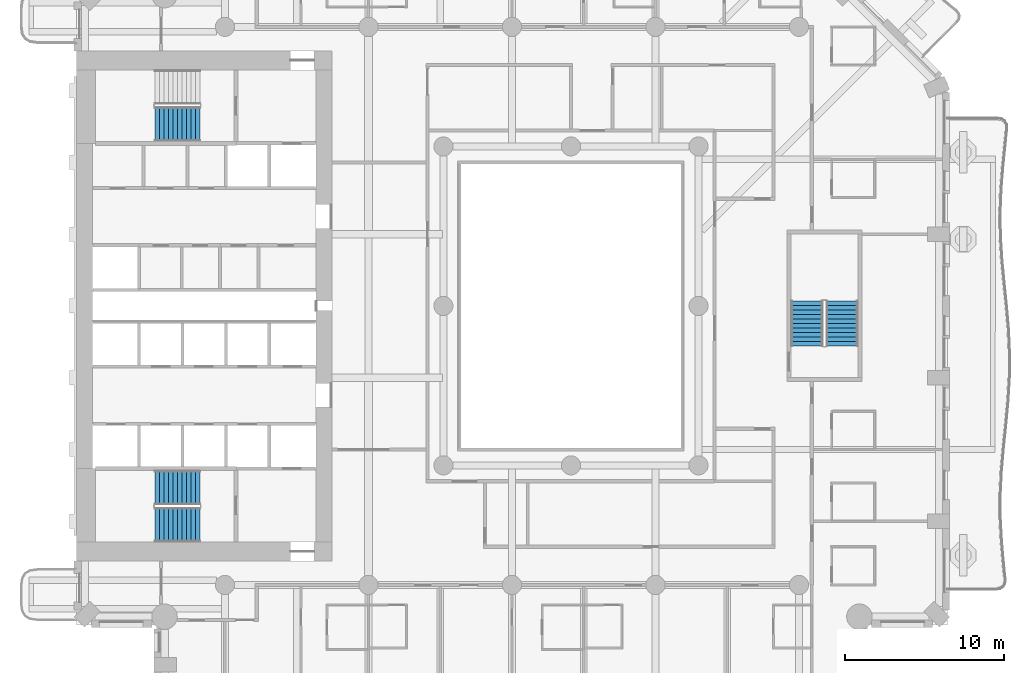
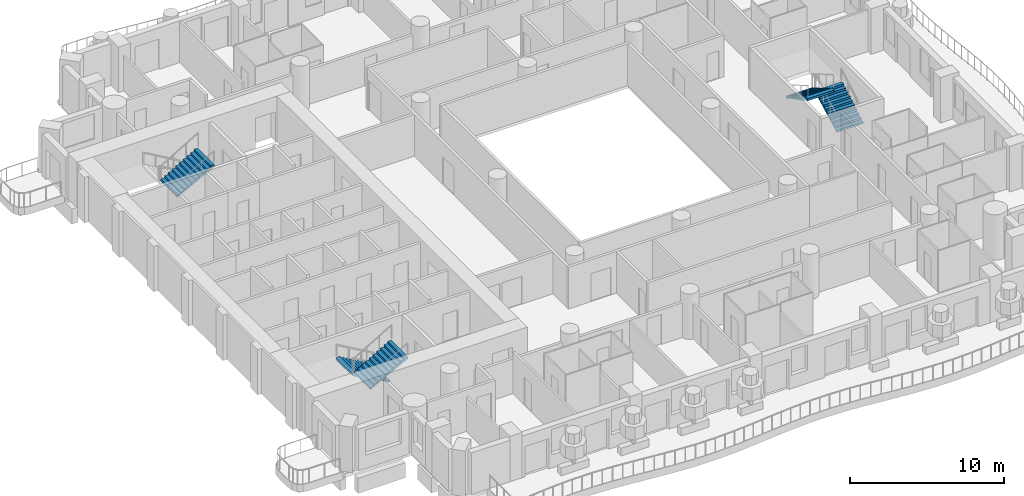
# One storey, part 11 of 20: 5 stair flights, 3 elements without a shape of their own.
"""IFC4 building model written with IfcOpenShell, lengths in metres."""

from ifc_helpers import new_model, si_unit, direction, frame, origin, place, context, subcontext, project, spatial, triangles, material, type_object, element, aggregate, save


model = new_model("IFC4")

# Units and contexts
model_context = context("Model", 3, precision=1e-05, world=origin(), true_north=direction((0.0, 1.0)))
body_context = subcontext(model_context, "Body", "Model", "MODEL_VIEW")
ifc_project = project(units=[si_unit("LENGTHUNIT", "METRE"), si_unit("AREAUNIT", "SQUARE_METRE"), si_unit("VOLUMEUNIT", "CUBIC_METRE"), si_unit("PLANEANGLEUNIT", "RADIAN"), si_unit("MASSUNIT", "GRAM", prefix="KILO")], contexts=[model_context])

# Site, building, storey
site_placement = place(None, origin())
site = spatial("IfcSite", under=ifc_project, at=site_placement, CompositionType="ELEMENT")
building_placement = place(site_placement, origin())
building = spatial("IfcBuilding", under=site, at=building_placement, Name="Cypress Arch Tower", CompositionType="ELEMENT")
storey_placement = place(building_placement, frame((0.0, 0.0, 80.699951171875)))
storey = spatial("IfcBuildingStorey", under=building, at=storey_placement, Name="L14", CompositionType="ELEMENT", Elevation=80.699951171875)

# Stair, stair flights
ifc_material_1 = material(Name="Concrete C40/50", Category="concrete")
stair_type_1 = type_object("IfcStairType", Name="Exit stair ES1636-200", PredefinedType="HALF_TURN_STAIR", material=ifc_material_1)
stair_1_placement = place(storey_placement, origin())
stair_1 = element("IfcStair", 1, at=stair_1_placement, inside=storey, type_object=stair_type_1, Name="L14 Exit stair C", PredefinedType="HALF_TURN_STAIR")
ifc_material_2 = material(Name="Concrete C40/50", Category="concrete")
stair_flight_type_1 = type_object("IfcStairFlightType", Name="Exit stair flight ES1636-200", PredefinedType="STRAIGHT", material=ifc_material_2)
stair_flight_1_placement = place(storey_placement, frame((18.0, -2.5, 0.0), z_axis=(0.0, 0.0, 1.0), x_axis=(0.0, 1.0, 0.0)))
stair_flight_1 = element("IfcStairFlight", 2, at=stair_flight_1_placement, type_object=stair_flight_type_1, Name="C flight 1", NumberOfRisers=11, NumberOfTreads=10, PredefinedType="STRAIGHT", RiserHeight=0.163636364, TreadLength=0.28, context=body_context, shape_type="Tessellation", body=[
    triangles([(0.0, -1.0, 0.0), (0.00048828125, -1.0, 0.054443359375), (0.00048828125, -1.0, 0.109130859375), (0.0, -1.0, 0.16357421875), (0.280029296875, -1.0, 0.16357421875), (0.280029296875, -1.0, 0.327392578125), (0.56005859375, -1.0, 0.327392578125), (0.56005859375, -1.0, 0.490966796875), (0.840087890625, -1.0, 0.490966796875), (0.840087890625, -1.0, 0.654541015625), (1.1201171875, -1.0, 0.654541015625), (1.1201171875, -1.0, 0.818115234375), (1.39990234375, -1.0, 0.818115234375), (1.39990234375, -1.0, 0.98193359375), (1.679931640625, -1.0, 0.98193359375), (1.679931640625, -1.0, 1.1455078125), (1.9599609375, -1.0, 1.1455078125), (1.9599609375, -1.0, 1.30908203125), (2.239990234375, -1.0, 1.30908203125), (2.239990234375, -1.0, 1.47265625), (2.52001953125, -1.0, 1.47265625), (2.52001953125, -1.0, 1.636474609375), (2.800048828125, -1.0, 1.636474609375), (2.799560546875, -1.0, 1.57861328125), (2.799560546875, -1.0, 1.5205078125), (2.800048828125, -1.0, 1.462646484375), (2.800048828125, 1.0, 1.462646484375), (2.799560546875, 1.0, 1.5205078125), (2.799560546875, 1.0, 1.57861328125), (2.800048828125, 1.0, 1.636474609375), (2.52001953125, 1.0, 1.636474609375), (2.52001953125, 1.0, 1.47265625), (2.239990234375, 1.0, 1.47265625), (2.239990234375, 1.0, 1.30908203125), (1.9599609375, 1.0, 1.30908203125), (1.9599609375, 1.0, 1.1455078125), (1.679931640625, 1.0, 1.1455078125), (1.679931640625, 1.0, 0.98193359375), (1.39990234375, 1.0, 0.98193359375), (1.39990234375, 1.0, 0.818115234375), (1.1201171875, 1.0, 0.818115234375), (1.1201171875, 1.0, 0.654541015625), (0.840087890625, 1.0, 0.654541015625), (0.840087890625, 1.0, 0.490966796875), (0.56005859375, 1.0, 0.490966796875), (0.56005859375, 1.0, 0.327392578125), (0.280029296875, 1.0, 0.327392578125), (0.280029296875, 1.0, 0.16357421875), (0.0, 1.0, 0.16357421875), (0.00048828125, 1.0, 0.109130859375), (0.00048828125, 1.0, 0.054443359375), (0.0, 1.0, 0.0), (2.799560546875, 0.0, 1.5205078125), (2.800048828125, 0.0, 1.462646484375), (2.799560546875, 0.0, 1.57861328125), (2.800048828125, 0.0, 1.636474609375), (2.52001953125, 0.0, 1.636474609375), (2.52001953125, 0.0, 1.47265625), (2.239990234375, 0.0, 1.47265625), (2.239990234375, 0.0, 1.30908203125), (1.9599609375, 0.0, 1.30908203125), (1.9599609375, 0.0, 1.1455078125), (1.679931640625, 0.0, 1.1455078125), (1.679931640625, 0.0, 0.98193359375), (1.39990234375, 0.0, 0.98193359375), (1.39990234375, 0.0, 0.818115234375), (1.1201171875, 0.0, 0.818115234375), (1.1201171875, 0.0, 0.654541015625), (0.840087890625, 0.0, 0.654541015625), (0.840087890625, 0.0, 0.490966796875), (0.56005859375, 0.0, 0.490966796875), (0.56005859375, 0.0, 0.327392578125), (0.280029296875, 0.0, 0.327392578125), (0.280029296875, 0.0, 0.16357421875), (0.0, 0.0, 0.16357421875), (0.00048828125, 0.0, 0.109130859375), (0.00048828125, 0.0, 0.054443359375), (0.0, 0.0, 0.0)], [[26, 25, 22], [25, 24, 22], [24, 23, 22], [15, 14, 13], [7, 6, 5], [13, 12, 11], [21, 20, 19], [19, 18, 17], [17, 16, 15], [11, 10, 9], [9, 8, 7], [4, 3, 5], [3, 2, 5], [2, 1, 5], [26, 22, 21], [26, 21, 19], [26, 19, 17], [26, 17, 15], [26, 15, 13], [26, 13, 11], [26, 11, 9], [26, 9, 7], [26, 7, 5], [26, 5, 1], [27, 31, 28], [28, 31, 29], [29, 31, 30], [38, 40, 39], [46, 48, 47], [40, 42, 41], [32, 34, 33], [34, 36, 35], [36, 38, 37], [42, 44, 43], [44, 46, 45], [49, 48, 50], [50, 48, 51], [51, 48, 52], [27, 32, 31], [27, 34, 32], [27, 36, 34], [27, 38, 36], [27, 40, 38], [27, 42, 40], [27, 44, 42], [27, 46, 44], [27, 48, 46], [27, 52, 48], [54, 53, 25], [54, 25, 26], [27, 28, 53], [27, 53, 54], [53, 55, 24], [53, 24, 25], [28, 29, 55], [28, 55, 53], [55, 56, 23], [55, 23, 24], [29, 30, 56], [29, 56, 55], [56, 57, 22], [56, 22, 23], [30, 31, 57], [30, 57, 56], [57, 58, 21], [57, 21, 22], [31, 32, 58], [31, 58, 57], [58, 59, 20], [58, 20, 21], [32, 33, 59], [32, 59, 58], [59, 60, 19], [59, 19, 20], [33, 34, 60], [33, 60, 59], [60, 61, 18], [60, 18, 19], [34, 35, 61], [34, 61, 60], [61, 62, 17], [61, 17, 18], [35, 36, 62], [35, 62, 61], [62, 63, 16], [62, 16, 17], [36, 37, 63], [36, 63, 62], [63, 64, 15], [63, 15, 16], [37, 38, 64], [37, 64, 63], [64, 65, 14], [64, 14, 15], [38, 39, 65], [38, 65, 64], [65, 66, 13], [65, 13, 14], [39, 40, 66], [39, 66, 65], [66, 67, 12], [66, 12, 13], [40, 41, 67], [40, 67, 66], [67, 68, 11], [67, 11, 12], [41, 42, 68], [41, 68, 67], [68, 69, 10], [68, 10, 11], [42, 43, 69], [42, 69, 68], [69, 70, 9], [69, 9, 10], [43, 44, 70], [43, 70, 69], [70, 71, 8], [70, 8, 9], [44, 45, 71], [44, 71, 70], [71, 72, 7], [71, 7, 8], [45, 46, 72], [45, 72, 71], [72, 73, 6], [72, 6, 7], [46, 47, 73], [46, 73, 72], [73, 74, 5], [73, 5, 6], [47, 48, 74], [47, 74, 73], [74, 75, 4], [74, 4, 5], [48, 49, 75], [48, 75, 74], [75, 76, 3], [75, 3, 4], [49, 50, 76], [49, 76, 75], [76, 77, 2], [76, 2, 3], [50, 51, 77], [50, 77, 76], [77, 78, 1], [77, 1, 2], [51, 52, 78], [51, 78, 77], [78, 54, 26], [78, 26, 1], [52, 27, 54], [52, 54, 78]], closed=True),
])
stair_flight_2_placement = place(storey_placement, frame((15.800048828125, 0.300048828125, 1.800048828125), z_axis=(0.0, 0.0, 1.0), x_axis=(0.0, -1.0, 0.0)))
stair_flight_2 = element("IfcStairFlight", 3, at=stair_flight_2_placement, type_object=stair_flight_type_1, Name="C flight 2", NumberOfRisers=11, NumberOfTreads=10, PredefinedType="STRAIGHT", RiserHeight=0.163636364, TreadLength=0.28, context=body_context, shape_type="Tessellation", body=[
    triangles([(0.0, -1.0, 0.0), (0.00048828125, -1.0, 0.054443359375), (0.00048828125, -1.0, 0.109130859375), (0.0, -1.0, 0.16357421875), (0.280029296875, -1.0, 0.16357421875), (0.280029296875, -1.0, 0.327392578125), (0.56005859375, -1.0, 0.327392578125), (0.56005859375, -1.0, 0.490966796875), (0.840087890625, -1.0, 0.490966796875), (0.840087890625, -1.0, 0.654541015625), (1.1201171875, -1.0, 0.654541015625), (1.1201171875, -1.0, 0.818115234375), (1.39990234375, -1.0, 0.818115234375), (1.39990234375, -1.0, 0.98193359375), (1.679931640625, -1.0, 0.98193359375), (1.679931640625, -1.0, 1.1455078125), (1.9599609375, -1.0, 1.1455078125), (1.9599609375, -1.0, 1.30908203125), (2.239990234375, -1.0, 1.30908203125), (2.239990234375, -1.0, 1.47265625), (2.52001953125, -1.0, 1.47265625), (2.52001953125, -1.0, 1.636474609375), (2.800048828125, -1.0, 1.636474609375), (2.799560546875, -1.0, 1.57861328125), (2.799560546875, -1.0, 1.5205078125), (2.800048828125, -1.0, 1.462646484375), (2.800048828125, 1.0, 1.462646484375), (2.799560546875, 1.0, 1.5205078125), (2.799560546875, 1.0, 1.57861328125), (2.800048828125, 1.0, 1.636474609375), (2.52001953125, 1.0, 1.636474609375), (2.52001953125, 1.0, 1.47265625), (2.239990234375, 1.0, 1.47265625), (2.239990234375, 1.0, 1.30908203125), (1.9599609375, 1.0, 1.30908203125), (1.9599609375, 1.0, 1.1455078125), (1.679931640625, 1.0, 1.1455078125), (1.679931640625, 1.0, 0.98193359375), (1.39990234375, 1.0, 0.98193359375), (1.39990234375, 1.0, 0.818115234375), (1.1201171875, 1.0, 0.818115234375), (1.1201171875, 1.0, 0.654541015625), (0.840087890625, 1.0, 0.654541015625), (0.840087890625, 1.0, 0.490966796875), (0.56005859375, 1.0, 0.490966796875), (0.56005859375, 1.0, 0.327392578125), (0.280029296875, 1.0, 0.327392578125), (0.280029296875, 1.0, 0.16357421875), (0.0, 1.0, 0.16357421875), (0.00048828125, 1.0, 0.109130859375), (0.00048828125, 1.0, 0.054443359375), (0.0, 1.0, 0.0), (2.799560546875, 0.0, 1.5205078125), (2.800048828125, 0.0, 1.462646484375), (2.799560546875, 0.0, 1.57861328125), (2.800048828125, 0.0, 1.636474609375), (2.52001953125, 0.0, 1.636474609375), (2.52001953125, 0.0, 1.47265625), (2.239990234375, 0.0, 1.47265625), (2.239990234375, 0.0, 1.30908203125), (1.9599609375, 0.0, 1.30908203125), (1.9599609375, 0.0, 1.1455078125), (1.679931640625, 0.0, 1.1455078125), (1.679931640625, 0.0, 0.98193359375), (1.39990234375, 0.0, 0.98193359375), (1.39990234375, 0.0, 0.818115234375), (1.1201171875, 0.0, 0.818115234375), (1.1201171875, 0.0, 0.654541015625), (0.840087890625, 0.0, 0.654541015625), (0.840087890625, 0.0, 0.490966796875), (0.56005859375, 0.0, 0.490966796875), (0.56005859375, 0.0, 0.327392578125), (0.280029296875, 0.0, 0.327392578125), (0.280029296875, 0.0, 0.16357421875), (0.0, 0.0, 0.16357421875), (0.00048828125, 0.0, 0.109130859375), (0.00048828125, 0.0, 0.054443359375), (0.0, 0.0, 0.0)], [[26, 25, 22], [25, 24, 22], [24, 23, 22], [15, 14, 13], [7, 6, 5], [13, 12, 11], [21, 20, 19], [19, 18, 17], [17, 16, 15], [11, 10, 9], [9, 8, 7], [4, 3, 5], [3, 2, 5], [2, 1, 5], [26, 22, 21], [26, 21, 19], [26, 19, 17], [26, 17, 15], [26, 15, 13], [26, 13, 11], [26, 11, 9], [26, 9, 7], [26, 7, 5], [26, 5, 1], [27, 31, 28], [28, 31, 29], [29, 31, 30], [38, 40, 39], [46, 48, 47], [40, 42, 41], [32, 34, 33], [34, 36, 35], [36, 38, 37], [42, 44, 43], [44, 46, 45], [49, 48, 50], [50, 48, 51], [51, 48, 52], [27, 32, 31], [27, 34, 32], [27, 36, 34], [27, 38, 36], [27, 40, 38], [27, 42, 40], [27, 44, 42], [27, 46, 44], [27, 48, 46], [27, 52, 48], [54, 53, 25], [54, 25, 26], [27, 28, 53], [27, 53, 54], [53, 55, 24], [53, 24, 25], [28, 29, 55], [28, 55, 53], [55, 56, 23], [55, 23, 24], [29, 30, 56], [29, 56, 55], [56, 57, 22], [56, 22, 23], [30, 31, 57], [30, 57, 56], [57, 58, 21], [57, 21, 22], [31, 32, 58], [31, 58, 57], [58, 59, 20], [58, 20, 21], [32, 33, 59], [32, 59, 58], [59, 60, 19], [59, 19, 20], [33, 34, 60], [33, 60, 59], [60, 61, 18], [60, 18, 19], [34, 35, 61], [34, 61, 60], [61, 62, 17], [61, 17, 18], [35, 36, 62], [35, 62, 61], [62, 63, 16], [62, 16, 17], [36, 37, 63], [36, 63, 62], [63, 64, 15], [63, 15, 16], [37, 38, 64], [37, 64, 63], [64, 65, 14], [64, 14, 15], [38, 39, 65], [38, 65, 64], [65, 66, 13], [65, 13, 14], [39, 40, 66], [39, 66, 65], [66, 67, 12], [66, 12, 13], [40, 41, 67], [40, 67, 66], [67, 68, 11], [67, 11, 12], [41, 42, 68], [41, 68, 67], [68, 69, 10], [68, 10, 11], [42, 43, 69], [42, 69, 68], [69, 70, 9], [69, 9, 10], [43, 44, 70], [43, 70, 69], [70, 71, 8], [70, 8, 9], [44, 45, 71], [44, 71, 70], [71, 72, 7], [71, 7, 8], [45, 46, 72], [45, 72, 71], [72, 73, 6], [72, 6, 7], [46, 47, 73], [46, 73, 72], [73, 74, 5], [73, 5, 6], [47, 48, 74], [47, 74, 73], [74, 75, 4], [74, 4, 5], [48, 49, 75], [48, 75, 74], [75, 76, 3], [75, 3, 4], [49, 50, 76], [49, 76, 75], [76, 77, 2], [76, 2, 3], [50, 51, 77], [50, 77, 76], [77, 78, 1], [77, 1, 2], [51, 52, 78], [51, 78, 77], [78, 54, 26], [78, 26, 1], [52, 27, 54], [52, 54, 78]], closed=True),
])
aggregate(stair_1, [stair_flight_1, stair_flight_2])

ifc_material_3 = material(Name="Concrete C40/50", Category="concrete")
stair_type_2 = type_object("IfcStairType", Name="Exit stair ES1636-215", PredefinedType="HALF_TURN_STAIR", material=ifc_material_3)
stair_2_placement = place(storey_placement, origin())
stair_2 = element("IfcStair", 4, at=stair_2_placement, inside=storey, type_object=stair_type_2, Name="L14 Exit stair A", PredefinedType="HALF_TURN_STAIR")
ifc_material_4 = material(Name="Concrete C40/50", Category="concrete")
stair_flight_type_2 = type_object("IfcStairFlightType", Name="Exit stair flight ES1636-215", PredefinedType="STRAIGHT", material=ifc_material_4)
stair_flight_3_placement = place(storey_placement, frame((-22.27490234375, -11.39990234375, 0.0), z_axis=(0.0, 0.0, 1.0), x_axis=(-1.0, 0.0, 0.0)))
stair_flight_3 = element("IfcStairFlight", 5, at=stair_flight_3_placement, type_object=stair_flight_type_2, Name="A flight 1", NumberOfRisers=11, NumberOfTreads=10, PredefinedType="STRAIGHT", RiserHeight=0.163636364, TreadLength=0.28, context=body_context, shape_type="Tessellation", body=[
    triangles([(0.0, -1.074951171875, 0.0), (0.000244140625, -1.074951171875, 0.03271484375), (0.00048828125, -1.074951171875, 0.0654296875), (0.00048828125, -1.074951171875, 0.09814453125), (0.000244140625, -1.074951171875, 0.130859375), (0.0, -1.074951171875, 0.16357421875), (0.280029296875, -1.074951171875, 0.16357421875), (0.280029296875, -1.074951171875, 0.327392578125), (0.56005859375, -1.074951171875, 0.327392578125), (0.56005859375, -1.074951171875, 0.490966796875), (0.840087890625, -1.074951171875, 0.490966796875), (0.840087890625, -1.074951171875, 0.654541015625), (1.1201171875, -1.074951171875, 0.654541015625), (1.1201171875, -1.074951171875, 0.818115234375), (1.39990234375, -1.074951171875, 0.818115234375), (1.39990234375, -1.074951171875, 0.98193359375), (1.679931640625, -1.074951171875, 0.98193359375), (1.679931640625, -1.074951171875, 1.1455078125), (1.9599609375, -1.074951171875, 1.1455078125), (1.9599609375, -1.074951171875, 1.30908203125), (2.239990234375, -1.074951171875, 1.30908203125), (2.239990234375, -1.074951171875, 1.47265625), (2.52001953125, -1.074951171875, 1.47265625), (2.52001953125, -1.074951171875, 1.636474609375), (2.800048828125, -1.074951171875, 1.636474609375), (2.7998046875, -1.074951171875, 1.601806640625), (2.799560546875, -1.074951171875, 1.56689453125), (2.799560546875, -1.074951171875, 1.5322265625), (2.7998046875, -1.074951171875, 1.497314453125), (2.800048828125, -1.074951171875, 1.462646484375), (2.800048828125, 1.074951171875, 1.462646484375), (2.7998046875, 1.074951171875, 1.497314453125), (2.799560546875, 1.074951171875, 1.5322265625), (2.799560546875, 1.074951171875, 1.56689453125), (2.7998046875, 1.074951171875, 1.601806640625), (2.800048828125, 1.074951171875, 1.636474609375), (2.52001953125, 1.074951171875, 1.636474609375), (2.52001953125, 1.074951171875, 1.47265625), (2.239990234375, 1.074951171875, 1.47265625), (2.239990234375, 1.074951171875, 1.30908203125), (1.9599609375, 1.074951171875, 1.30908203125), (1.9599609375, 1.074951171875, 1.1455078125), (1.679931640625, 1.074951171875, 1.1455078125), (1.679931640625, 1.074951171875, 0.98193359375), (1.39990234375, 1.074951171875, 0.98193359375), (1.39990234375, 1.074951171875, 0.818115234375), (1.1201171875, 1.074951171875, 0.818115234375), (1.1201171875, 1.074951171875, 0.654541015625), (0.840087890625, 1.074951171875, 0.654541015625), (0.840087890625, 1.074951171875, 0.490966796875), (0.56005859375, 1.074951171875, 0.490966796875), (0.56005859375, 1.074951171875, 0.327392578125), (0.280029296875, 1.074951171875, 0.327392578125), (0.280029296875, 1.074951171875, 0.16357421875), (0.0, 1.074951171875, 0.16357421875), (0.000244140625, 1.074951171875, 0.130859375), (0.00048828125, 1.074951171875, 0.09814453125), (0.00048828125, 1.074951171875, 0.0654296875), (0.000244140625, 1.074951171875, 0.03271484375), (0.0, 1.074951171875, 0.0), (2.7998046875, 0.0, 1.497314453125), (2.800048828125, 0.0, 1.462646484375), (2.799560546875, 0.0, 1.5322265625), (2.799560546875, 0.0, 1.56689453125), (2.7998046875, 0.0, 1.601806640625), (2.800048828125, 0.0, 1.636474609375), (2.52001953125, 0.0, 1.636474609375), (2.52001953125, 0.0, 1.47265625), (2.239990234375, 0.0, 1.47265625), (2.239990234375, 0.0, 1.30908203125), (1.9599609375, 0.0, 1.30908203125), (1.9599609375, 0.0, 1.1455078125), (1.679931640625, 0.0, 1.1455078125), (1.679931640625, 0.0, 0.98193359375), (1.39990234375, 0.0, 0.98193359375), (1.39990234375, 0.0, 0.818115234375), (1.1201171875, 0.0, 0.818115234375), (1.1201171875, 0.0, 0.654541015625), (0.840087890625, 0.0, 0.654541015625), (0.840087890625, 0.0, 0.490966796875), (0.56005859375, 0.0, 0.490966796875), (0.56005859375, 0.0, 0.327392578125), (0.280029296875, 0.0, 0.327392578125), (0.280029296875, 0.0, 0.16357421875), (0.0, 0.0, 0.16357421875), (0.000244140625, 0.0, 0.130859375), (0.00048828125, 0.0, 0.09814453125), (0.00048828125, 0.0, 0.0654296875), (0.000244140625, 0.0, 0.03271484375), (0.0, 0.0, 0.0)], [[30, 29, 24], [29, 28, 24], [28, 27, 24], [27, 26, 24], [26, 25, 24], [17, 16, 15], [9, 8, 7], [15, 14, 13], [23, 22, 21], [21, 20, 19], [19, 18, 17], [13, 12, 11], [11, 10, 9], [6, 5, 7], [5, 4, 7], [4, 3, 7], [3, 2, 7], [2, 1, 7], [30, 24, 23], [30, 23, 21], [30, 21, 19], [30, 19, 17], [30, 17, 15], [30, 15, 13], [30, 13, 11], [30, 11, 9], [30, 9, 7], [30, 7, 1], [31, 37, 32], [32, 37, 33], [33, 37, 34], [34, 37, 35], [35, 37, 36], [44, 46, 45], [52, 54, 53], [46, 48, 47], [38, 40, 39], [40, 42, 41], [42, 44, 43], [48, 50, 49], [50, 52, 51], [55, 54, 56], [56, 54, 57], [57, 54, 58], [58, 54, 59], [59, 54, 60], [31, 38, 37], [31, 40, 38], [31, 42, 40], [31, 44, 42], [31, 46, 44], [31, 48, 46], [31, 50, 48], [31, 52, 50], [31, 54, 52], [31, 60, 54], [62, 61, 29], [62, 29, 30], [31, 32, 61], [31, 61, 62], [61, 63, 28], [61, 28, 29], [32, 33, 63], [32, 63, 61], [63, 64, 27], [63, 27, 28], [33, 34, 64], [33, 64, 63], [64, 65, 26], [64, 26, 27], [34, 35, 65], [34, 65, 64], [65, 66, 25], [65, 25, 26], [35, 36, 66], [35, 66, 65], [66, 67, 24], [66, 24, 25], [36, 37, 67], [36, 67, 66], [67, 68, 23], [67, 23, 24], [37, 38, 68], [37, 68, 67], [68, 69, 22], [68, 22, 23], [38, 39, 69], [38, 69, 68], [69, 70, 21], [69, 21, 22], [39, 40, 70], [39, 70, 69], [70, 71, 20], [70, 20, 21], [40, 41, 71], [40, 71, 70], [71, 72, 19], [71, 19, 20], [41, 42, 72], [41, 72, 71], [72, 73, 18], [72, 18, 19], [42, 43, 73], [42, 73, 72], [73, 74, 17], [73, 17, 18], [43, 44, 74], [43, 74, 73], [74, 75, 16], [74, 16, 17], [44, 45, 75], [44, 75, 74], [75, 76, 15], [75, 15, 16], [45, 46, 76], [45, 76, 75], [76, 77, 14], [76, 14, 15], [46, 47, 77], [46, 77, 76], [77, 78, 13], [77, 13, 14], [47, 48, 78], [47, 78, 77], [78, 79, 12], [78, 12, 13], [48, 49, 79], [48, 79, 78], [79, 80, 11], [79, 11, 12], [49, 50, 80], [49, 80, 79], [80, 81, 10], [80, 10, 11], [50, 51, 81], [50, 81, 80], [81, 82, 9], [81, 9, 10], [51, 52, 82], [51, 82, 81], [82, 83, 8], [82, 8, 9], [52, 53, 83], [52, 83, 82], [83, 84, 7], [83, 7, 8], [53, 54, 84], [53, 84, 83], [84, 85, 6], [84, 6, 7], [54, 55, 85], [54, 85, 84], [85, 86, 5], [85, 5, 6], [55, 56, 86], [55, 86, 85], [86, 87, 4], [86, 4, 5], [56, 57, 87], [56, 87, 86], [87, 88, 3], [87, 3, 4], [57, 58, 88], [57, 88, 87], [88, 89, 2], [88, 2, 3], [58, 59, 89], [58, 89, 88], [89, 90, 1], [89, 1, 2], [59, 60, 90], [59, 90, 89], [90, 62, 30], [90, 30, 1], [60, 31, 62], [60, 62, 90]], closed=True),
])
stair_flight_4_placement = place(storey_placement, frame((-25.074951171875, -13.72509765625, 1.800048828125), z_axis=(0.0, 0.0, 1.0), x_axis=(1.0, 0.0, 0.0)))
stair_flight_4 = element("IfcStairFlight", 6, at=stair_flight_4_placement, type_object=stair_flight_type_2, Name="A flight 2", NumberOfRisers=11, NumberOfTreads=10, PredefinedType="STRAIGHT", RiserHeight=0.163636364, TreadLength=0.28, context=body_context, shape_type="Tessellation", body=[
    triangles([(0.0, -1.074951171875, 0.0), (0.000244140625, -1.074951171875, 0.03271484375), (0.00048828125, -1.074951171875, 0.0654296875), (0.00048828125, -1.074951171875, 0.09814453125), (0.000244140625, -1.074951171875, 0.130859375), (0.0, -1.074951171875, 0.16357421875), (0.280029296875, -1.074951171875, 0.16357421875), (0.280029296875, -1.074951171875, 0.327392578125), (0.56005859375, -1.074951171875, 0.327392578125), (0.56005859375, -1.074951171875, 0.490966796875), (0.840087890625, -1.074951171875, 0.490966796875), (0.840087890625, -1.074951171875, 0.654541015625), (1.1201171875, -1.074951171875, 0.654541015625), (1.1201171875, -1.074951171875, 0.818115234375), (1.39990234375, -1.074951171875, 0.818115234375), (1.39990234375, -1.074951171875, 0.98193359375), (1.679931640625, -1.074951171875, 0.98193359375), (1.679931640625, -1.074951171875, 1.1455078125), (1.9599609375, -1.074951171875, 1.1455078125), (1.9599609375, -1.074951171875, 1.30908203125), (2.239990234375, -1.074951171875, 1.30908203125), (2.239990234375, -1.074951171875, 1.47265625), (2.52001953125, -1.074951171875, 1.47265625), (2.52001953125, -1.074951171875, 1.636474609375), (2.800048828125, -1.074951171875, 1.636474609375), (2.7998046875, -1.074951171875, 1.601806640625), (2.799560546875, -1.074951171875, 1.56689453125), (2.799560546875, -1.074951171875, 1.5322265625), (2.7998046875, -1.074951171875, 1.497314453125), (2.800048828125, -1.074951171875, 1.462646484375), (2.800048828125, 1.074951171875, 1.462646484375), (2.7998046875, 1.074951171875, 1.497314453125), (2.799560546875, 1.074951171875, 1.5322265625), (2.799560546875, 1.074951171875, 1.56689453125), (2.7998046875, 1.074951171875, 1.601806640625), (2.800048828125, 1.074951171875, 1.636474609375), (2.52001953125, 1.074951171875, 1.636474609375), (2.52001953125, 1.074951171875, 1.47265625), (2.239990234375, 1.074951171875, 1.47265625), (2.239990234375, 1.074951171875, 1.30908203125), (1.9599609375, 1.074951171875, 1.30908203125), (1.9599609375, 1.074951171875, 1.1455078125), (1.679931640625, 1.074951171875, 1.1455078125), (1.679931640625, 1.074951171875, 0.98193359375), (1.39990234375, 1.074951171875, 0.98193359375), (1.39990234375, 1.074951171875, 0.818115234375), (1.1201171875, 1.074951171875, 0.818115234375), (1.1201171875, 1.074951171875, 0.654541015625), (0.840087890625, 1.074951171875, 0.654541015625), (0.840087890625, 1.074951171875, 0.490966796875), (0.56005859375, 1.074951171875, 0.490966796875), (0.56005859375, 1.074951171875, 0.327392578125), (0.280029296875, 1.074951171875, 0.327392578125), (0.280029296875, 1.074951171875, 0.16357421875), (0.0, 1.074951171875, 0.16357421875), (0.000244140625, 1.074951171875, 0.130859375), (0.00048828125, 1.074951171875, 0.09814453125), (0.00048828125, 1.074951171875, 0.0654296875), (0.000244140625, 1.074951171875, 0.03271484375), (0.0, 1.074951171875, 0.0), (2.7998046875, 0.0, 1.497314453125), (2.800048828125, 0.0, 1.462646484375), (2.799560546875, 0.0, 1.5322265625), (2.799560546875, 0.0, 1.56689453125), (2.7998046875, 0.0, 1.601806640625), (2.800048828125, 0.0, 1.636474609375), (2.52001953125, 0.0, 1.636474609375), (2.52001953125, 0.0, 1.47265625), (2.239990234375, 0.0, 1.47265625), (2.239990234375, 0.0, 1.30908203125), (1.9599609375, 0.0, 1.30908203125), (1.9599609375, 0.0, 1.1455078125), (1.679931640625, 0.0, 1.1455078125), (1.679931640625, 0.0, 0.98193359375), (1.39990234375, 0.0, 0.98193359375), (1.39990234375, 0.0, 0.818115234375), (1.1201171875, 0.0, 0.818115234375), (1.1201171875, 0.0, 0.654541015625), (0.840087890625, 0.0, 0.654541015625), (0.840087890625, 0.0, 0.490966796875), (0.56005859375, 0.0, 0.490966796875), (0.56005859375, 0.0, 0.327392578125), (0.280029296875, 0.0, 0.327392578125), (0.280029296875, 0.0, 0.16357421875), (0.0, 0.0, 0.16357421875), (0.000244140625, 0.0, 0.130859375), (0.00048828125, 0.0, 0.09814453125), (0.00048828125, 0.0, 0.0654296875), (0.000244140625, 0.0, 0.03271484375), (0.0, 0.0, 0.0)], [[30, 29, 24], [29, 28, 24], [28, 27, 24], [27, 26, 24], [26, 25, 24], [17, 16, 15], [9, 8, 7], [15, 14, 13], [23, 22, 21], [21, 20, 19], [19, 18, 17], [13, 12, 11], [11, 10, 9], [6, 5, 7], [5, 4, 7], [4, 3, 7], [3, 2, 7], [2, 1, 7], [30, 24, 23], [30, 23, 21], [30, 21, 19], [30, 19, 17], [30, 17, 15], [30, 15, 13], [30, 13, 11], [30, 11, 9], [30, 9, 7], [30, 7, 1], [31, 37, 32], [32, 37, 33], [33, 37, 34], [34, 37, 35], [35, 37, 36], [44, 46, 45], [52, 54, 53], [46, 48, 47], [38, 40, 39], [40, 42, 41], [42, 44, 43], [48, 50, 49], [50, 52, 51], [55, 54, 56], [56, 54, 57], [57, 54, 58], [58, 54, 59], [59, 54, 60], [31, 38, 37], [31, 40, 38], [31, 42, 40], [31, 44, 42], [31, 46, 44], [31, 48, 46], [31, 50, 48], [31, 52, 50], [31, 54, 52], [31, 60, 54], [62, 61, 29], [62, 29, 30], [31, 32, 61], [31, 61, 62], [61, 63, 28], [61, 28, 29], [32, 33, 63], [32, 63, 61], [63, 64, 27], [63, 27, 28], [33, 34, 64], [33, 64, 63], [64, 65, 26], [64, 26, 27], [34, 35, 65], [34, 65, 64], [65, 66, 25], [65, 25, 26], [35, 36, 66], [35, 66, 65], [66, 67, 24], [66, 24, 25], [36, 37, 67], [36, 67, 66], [67, 68, 23], [67, 23, 24], [37, 38, 68], [37, 68, 67], [68, 69, 22], [68, 22, 23], [38, 39, 69], [38, 69, 68], [69, 70, 21], [69, 21, 22], [39, 40, 70], [39, 70, 69], [70, 71, 20], [70, 20, 21], [40, 41, 71], [40, 71, 70], [71, 72, 19], [71, 19, 20], [41, 42, 72], [41, 72, 71], [72, 73, 18], [72, 18, 19], [42, 43, 73], [42, 73, 72], [73, 74, 17], [73, 17, 18], [43, 44, 74], [43, 74, 73], [74, 75, 16], [74, 16, 17], [44, 45, 75], [44, 75, 74], [75, 76, 15], [75, 15, 16], [45, 46, 76], [45, 76, 75], [76, 77, 14], [76, 14, 15], [46, 47, 77], [46, 77, 76], [77, 78, 13], [77, 13, 14], [47, 48, 78], [47, 78, 77], [78, 79, 12], [78, 12, 13], [48, 49, 79], [48, 79, 78], [79, 80, 11], [79, 11, 12], [49, 50, 80], [49, 80, 79], [80, 81, 10], [80, 10, 11], [50, 51, 81], [50, 81, 80], [81, 82, 9], [81, 9, 10], [51, 52, 82], [51, 82, 81], [82, 83, 8], [82, 8, 9], [52, 53, 83], [52, 83, 82], [83, 84, 7], [83, 7, 8], [53, 54, 84], [53, 84, 83], [84, 85, 6], [84, 6, 7], [54, 55, 85], [54, 85, 84], [85, 86, 5], [85, 5, 6], [55, 56, 86], [55, 86, 85], [86, 87, 4], [86, 4, 5], [56, 57, 87], [56, 87, 86], [87, 88, 3], [87, 3, 4], [57, 58, 88], [57, 88, 87], [88, 89, 2], [88, 2, 3], [58, 59, 89], [58, 89, 88], [89, 90, 1], [89, 1, 2], [59, 60, 90], [59, 90, 89], [90, 62, 30], [90, 30, 1], [60, 31, 62], [60, 62, 90]], closed=True),
])
aggregate(stair_2, [stair_flight_3, stair_flight_4])

# Stair, stair flight
stair_3_placement = place(storey_placement, origin())
stair_3 = element("IfcStair", 7, at=stair_3_placement, inside=storey, type_object=stair_type_2, Name="L14 Exit stair B", PredefinedType="HALF_TURN_STAIR")
stair_flight_5_placement = place(storey_placement, frame((-25.074951171875, 11.39990234375, 1.800048828125), z_axis=(0.0, 0.0, 1.0), x_axis=(1.0, 0.0, 0.0)))
stair_flight_5 = element("IfcStairFlight", 8, at=stair_flight_5_placement, type_object=stair_flight_type_2, Name="B flight 2", NumberOfRisers=11, NumberOfTreads=10, PredefinedType="STRAIGHT", RiserHeight=0.163636364, TreadLength=0.28, context=body_context, shape_type="Tessellation", body=[
    triangles([(0.0, -1.074951171875, 0.0), (0.000244140625, -1.074951171875, 0.03271484375), (0.00048828125, -1.074951171875, 0.0654296875), (0.00048828125, -1.074951171875, 0.09814453125), (0.000244140625, -1.074951171875, 0.130859375), (0.0, -1.074951171875, 0.16357421875), (0.280029296875, -1.074951171875, 0.16357421875), (0.280029296875, -1.074951171875, 0.327392578125), (0.56005859375, -1.074951171875, 0.327392578125), (0.56005859375, -1.074951171875, 0.490966796875), (0.840087890625, -1.074951171875, 0.490966796875), (0.840087890625, -1.074951171875, 0.654541015625), (1.1201171875, -1.074951171875, 0.654541015625), (1.1201171875, -1.074951171875, 0.818115234375), (1.39990234375, -1.074951171875, 0.818115234375), (1.39990234375, -1.074951171875, 0.98193359375), (1.679931640625, -1.074951171875, 0.98193359375), (1.679931640625, -1.074951171875, 1.1455078125), (1.9599609375, -1.074951171875, 1.1455078125), (1.9599609375, -1.074951171875, 1.30908203125), (2.239990234375, -1.074951171875, 1.30908203125), (2.239990234375, -1.074951171875, 1.47265625), (2.52001953125, -1.074951171875, 1.47265625), (2.52001953125, -1.074951171875, 1.636474609375), (2.800048828125, -1.074951171875, 1.636474609375), (2.7998046875, -1.074951171875, 1.601806640625), (2.799560546875, -1.074951171875, 1.56689453125), (2.799560546875, -1.074951171875, 1.5322265625), (2.7998046875, -1.074951171875, 1.497314453125), (2.800048828125, -1.074951171875, 1.462646484375), (2.800048828125, 1.074951171875, 1.462646484375), (2.7998046875, 1.074951171875, 1.497314453125), (2.799560546875, 1.074951171875, 1.5322265625), (2.799560546875, 1.074951171875, 1.56689453125), (2.7998046875, 1.074951171875, 1.601806640625), (2.800048828125, 1.074951171875, 1.636474609375), (2.52001953125, 1.074951171875, 1.636474609375), (2.52001953125, 1.074951171875, 1.47265625), (2.239990234375, 1.074951171875, 1.47265625), (2.239990234375, 1.074951171875, 1.30908203125), (1.9599609375, 1.074951171875, 1.30908203125), (1.9599609375, 1.074951171875, 1.1455078125), (1.679931640625, 1.074951171875, 1.1455078125), (1.679931640625, 1.074951171875, 0.98193359375), (1.39990234375, 1.074951171875, 0.98193359375), (1.39990234375, 1.074951171875, 0.818115234375), (1.1201171875, 1.074951171875, 0.818115234375), (1.1201171875, 1.074951171875, 0.654541015625), (0.840087890625, 1.074951171875, 0.654541015625), (0.840087890625, 1.074951171875, 0.490966796875), (0.56005859375, 1.074951171875, 0.490966796875), (0.56005859375, 1.074951171875, 0.327392578125), (0.280029296875, 1.074951171875, 0.327392578125), (0.280029296875, 1.074951171875, 0.16357421875), (0.0, 1.074951171875, 0.16357421875), (0.000244140625, 1.074951171875, 0.130859375), (0.00048828125, 1.074951171875, 0.09814453125), (0.00048828125, 1.074951171875, 0.0654296875), (0.000244140625, 1.074951171875, 0.03271484375), (0.0, 1.074951171875, 0.0), (2.7998046875, 0.0, 1.497314453125), (2.800048828125, 0.0, 1.462646484375), (2.799560546875, 0.0, 1.5322265625), (2.799560546875, 0.0, 1.56689453125), (2.7998046875, 0.0, 1.601806640625), (2.800048828125, 0.0, 1.636474609375), (2.52001953125, 0.0, 1.636474609375), (2.52001953125, 0.0, 1.47265625), (2.239990234375, 0.0, 1.47265625), (2.239990234375, 0.0, 1.30908203125), (1.9599609375, 0.0, 1.30908203125), (1.9599609375, 0.0, 1.1455078125), (1.679931640625, 0.0, 1.1455078125), (1.679931640625, 0.0, 0.98193359375), (1.39990234375, 0.0, 0.98193359375), (1.39990234375, 0.0, 0.818115234375), (1.1201171875, 0.0, 0.818115234375), (1.1201171875, 0.0, 0.654541015625), (0.840087890625, 0.0, 0.654541015625), (0.840087890625, 0.0, 0.490966796875), (0.56005859375, 0.0, 0.490966796875), (0.56005859375, 0.0, 0.327392578125), (0.280029296875, 0.0, 0.327392578125), (0.280029296875, 0.0, 0.16357421875), (0.0, 0.0, 0.16357421875), (0.000244140625, 0.0, 0.130859375), (0.00048828125, 0.0, 0.09814453125), (0.00048828125, 0.0, 0.0654296875), (0.000244140625, 0.0, 0.03271484375), (0.0, 0.0, 0.0)], [[30, 29, 24], [29, 28, 24], [28, 27, 24], [27, 26, 24], [26, 25, 24], [17, 16, 15], [9, 8, 7], [15, 14, 13], [23, 22, 21], [21, 20, 19], [19, 18, 17], [13, 12, 11], [11, 10, 9], [6, 5, 7], [5, 4, 7], [4, 3, 7], [3, 2, 7], [2, 1, 7], [30, 24, 23], [30, 23, 21], [30, 21, 19], [30, 19, 17], [30, 17, 15], [30, 15, 13], [30, 13, 11], [30, 11, 9], [30, 9, 7], [30, 7, 1], [31, 37, 32], [32, 37, 33], [33, 37, 34], [34, 37, 35], [35, 37, 36], [44, 46, 45], [52, 54, 53], [46, 48, 47], [38, 40, 39], [40, 42, 41], [42, 44, 43], [48, 50, 49], [50, 52, 51], [55, 54, 56], [56, 54, 57], [57, 54, 58], [58, 54, 59], [59, 54, 60], [31, 38, 37], [31, 40, 38], [31, 42, 40], [31, 44, 42], [31, 46, 44], [31, 48, 46], [31, 50, 48], [31, 52, 50], [31, 54, 52], [31, 60, 54], [62, 61, 29], [62, 29, 30], [31, 32, 61], [31, 61, 62], [61, 63, 28], [61, 28, 29], [32, 33, 63], [32, 63, 61], [63, 64, 27], [63, 27, 28], [33, 34, 64], [33, 64, 63], [64, 65, 26], [64, 26, 27], [34, 35, 65], [34, 65, 64], [65, 66, 25], [65, 25, 26], [35, 36, 66], [35, 66, 65], [66, 67, 24], [66, 24, 25], [36, 37, 67], [36, 67, 66], [67, 68, 23], [67, 23, 24], [37, 38, 68], [37, 68, 67], [68, 69, 22], [68, 22, 23], [38, 39, 69], [38, 69, 68], [69, 70, 21], [69, 21, 22], [39, 40, 70], [39, 70, 69], [70, 71, 20], [70, 20, 21], [40, 41, 71], [40, 71, 70], [71, 72, 19], [71, 19, 20], [41, 42, 72], [41, 72, 71], [72, 73, 18], [72, 18, 19], [42, 43, 73], [42, 73, 72], [73, 74, 17], [73, 17, 18], [43, 44, 74], [43, 74, 73], [74, 75, 16], [74, 16, 17], [44, 45, 75], [44, 75, 74], [75, 76, 15], [75, 15, 16], [45, 46, 76], [45, 76, 75], [76, 77, 14], [76, 14, 15], [46, 47, 77], [46, 77, 76], [77, 78, 13], [77, 13, 14], [47, 48, 78], [47, 78, 77], [78, 79, 12], [78, 12, 13], [48, 49, 79], [48, 79, 78], [79, 80, 11], [79, 11, 12], [49, 50, 80], [49, 80, 79], [80, 81, 10], [80, 10, 11], [50, 51, 81], [50, 81, 80], [81, 82, 9], [81, 9, 10], [51, 52, 82], [51, 82, 81], [82, 83, 8], [82, 8, 9], [52, 53, 83], [52, 83, 82], [83, 84, 7], [83, 7, 8], [53, 54, 84], [53, 84, 83], [84, 85, 6], [84, 6, 7], [54, 55, 85], [54, 85, 84], [85, 86, 5], [85, 5, 6], [55, 56, 86], [55, 86, 85], [86, 87, 4], [86, 4, 5], [56, 57, 87], [56, 87, 86], [87, 88, 3], [87, 3, 4], [57, 58, 88], [57, 88, 87], [88, 89, 2], [88, 2, 3], [58, 59, 89], [58, 89, 88], [89, 90, 1], [89, 1, 2], [59, 60, 90], [59, 90, 89], [90, 62, 30], [90, 30, 1], [60, 31, 62], [60, 62, 90]], closed=True),
])
aggregate(stair_3, [stair_flight_5])

save(model, "model.ifc")
